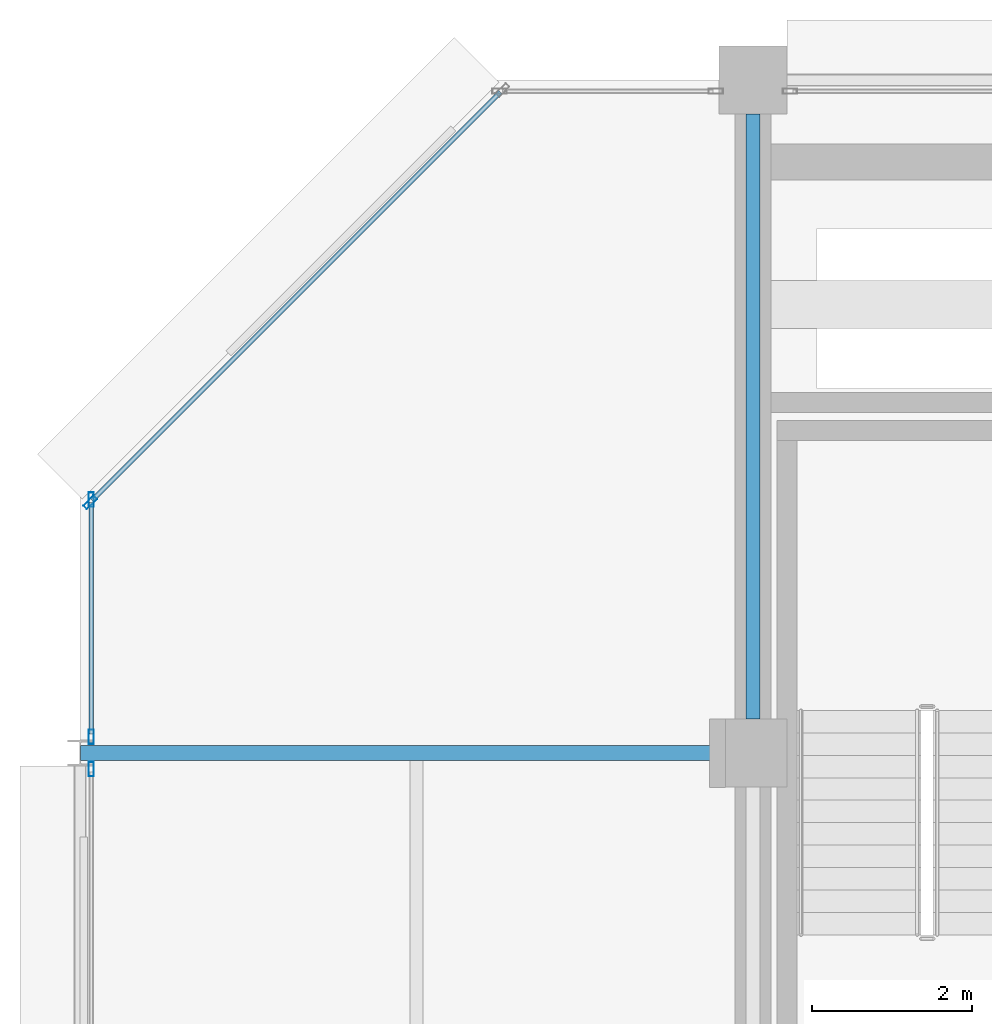
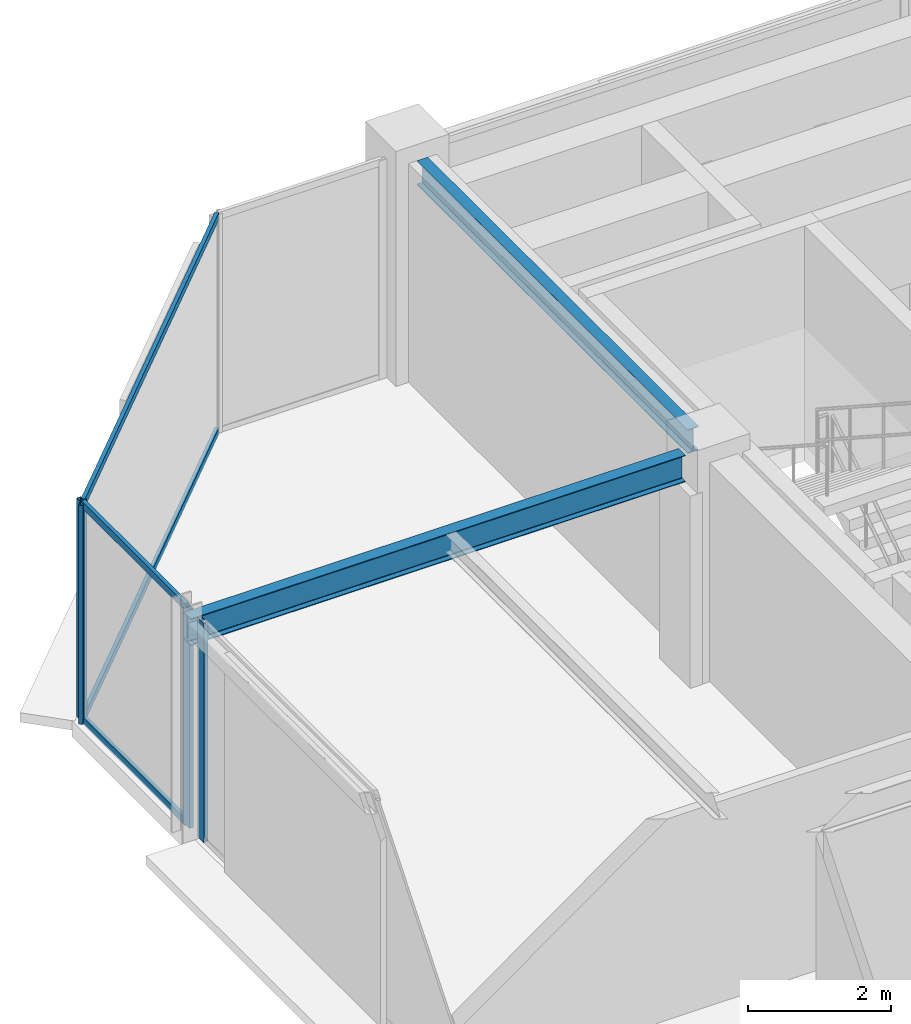
# One storey, part 16 of 25: 8 members, 2 beams, 3 elements without a shape of their own.
"""IFC4 building model written with IfcOpenShell, lengths in metres."""

from ifc_helpers import new_model, si_unit, direction, frame, origin, origin_2d, place, context, subcontext, project, spatial, hollow_rectangle, i_section, extrude, material, layer, layer_set, material_profile, profile_set, type_object, element, aggregate, save


model = new_model("IFC4")

# Units and contexts
model_context = context("Model", 3, precision=1e-05, world=origin(), true_north=direction((0.0, 1.0)))
body_context = subcontext(model_context, "Body", "Model", "MODEL_VIEW")
ifc_project = project(units=[si_unit("LENGTHUNIT", "METRE"), si_unit("AREAUNIT", "SQUARE_METRE"), si_unit("VOLUMEUNIT", "CUBIC_METRE"), si_unit("PLANEANGLEUNIT", "RADIAN"), si_unit("MASSUNIT", "GRAM", prefix="KILO")], contexts=[model_context])

# Site, building, storey
site_placement = place(None, origin())
site = spatial("IfcSite", under=ifc_project, at=site_placement, CompositionType="ELEMENT")
building_placement = place(site_placement, origin())
building = spatial("IfcBuilding", under=site, at=building_placement, Name="Nerrivon Quay Data Exchange", CompositionType="ELEMENT")
storey_placement = place(building_placement, frame((0.0, 0.0, 290.199951171875)))
storey = spatial("IfcBuildingStorey", under=building, at=storey_placement, Name="L69", CompositionType="ELEMENT", Elevation=290.199951171875)

# Beams
ifc_material_1 = material(Name="Steel Grade 350", Category="steel")
ifc_material_profile_1 = material_profile(ifc_material_1, i_section(OverallWidth=0.18994140625, OverallDepth=0.4541015625, WebThickness=0.008544921875, FlangeThickness=0.0126953125, FilletRadius=0.011474609375, at=origin_2d()), Name="460UB67.1")
ifc_profile_set_1 = profile_set([ifc_material_profile_1], Name="Steel Grade 350")
beam_type_1 = type_object("IfcBeamType", Name="BM-G6-460UB67", PredefinedType="BEAM", material=ifc_profile_set_1)
beam_1_placement = place(storey_placement, frame((0.0078125, 33.60009765625, 3.498046875), z_axis=(1.0, 0.0, 0.0), x_axis=(0.0, 1.0, 0.0)))
element("IfcBeam", 1, at=beam_1_placement, inside=storey, type_object=beam_type_1, Name="L69 EW Girder Y=33.6 (0.0..8.4)", PredefinedType="BEAM", context=body_context, shape_type="SweptSolid", body=[
    extrude(i_section(OverallWidth=0.18994140625, OverallDepth=0.4541015625, WebThickness=0.008544921875, FlangeThickness=0.0126953125, FilletRadius=0.011474609375, at=origin_2d()), origin(), (0.0, 0.0, 1.0), 7.96728515625),
])
ifc_material_profile_2 = material_profile(ifc_material_1, i_section(OverallWidth=0.177978515625, OverallDepth=0.406005859375, WebThickness=0.0078125, FlangeThickness=0.0126953125, FilletRadius=0.011474609375, at=origin_2d()), Name="410UB59.7")
ifc_profile_set_2 = profile_set([ifc_material_profile_2], Name="Steel Grade 350")
beam_type_2 = type_object("IfcBeamType", Name="BM-J1-410UB60", PredefinedType="JOIST", material=ifc_profile_set_2)
beam_2_placement = place(storey_placement, frame((8.39990234375, 34.02490234375, 3.52197265625), z_axis=(0.0, 1.0, 0.0), x_axis=(-1.0, 0.0, 0.0)))
element("IfcBeam", 2, at=beam_2_placement, inside=storey, type_object=beam_type_2, Name="L69 NS Girder X=8.4 (33.6..42.0)", PredefinedType="JOIST", context=body_context, shape_type="SweptSolid", body=[
    extrude(i_section(OverallWidth=0.177978515625, OverallDepth=0.406005859375, WebThickness=0.0078125, FlangeThickness=0.0126953125, FilletRadius=0.011474609375, at=origin_2d()), origin(), (0.0, 0.0, 1.0), 7.550048828125),
])

# Curtain wall, member
ifc_material_2 = material(Name="Anodised aluminium 6063-T6", Category="aluminium")
ifc_layer = layer(ifc_material_2, 0.195068359375)
ifc_layer_set = layer_set([ifc_layer], Name="Anodised aluminium 6063-T6")
curtain_wall_type = type_object("IfcCurtainWallType", Name="CW-SYS-06", PredefinedType="NOTDEFINED", material=ifc_layer_set)
curtain_wall_1_placement = place(storey_placement, origin())
curtain_wall_1 = element("IfcCurtainWall", 3, at=curtain_wall_1_placement, inside=storey, type_object=curtain_wall_type, Name="L69 Unitised Curtain Wall 11", PredefinedType="NOTDEFINED")
ifc_material_profile_3 = material_profile(ifc_material_2, hollow_rectangle(XDim=0.06494140625, YDim=0.179931640625, WallThickness=0.00341796875, at=origin_2d()), Name="ALU-MULL-180x65")
ifc_profile_set_3 = profile_set([ifc_material_profile_3], Name="Anodised aluminium 6063-T6")
member_type_1 = type_object("IfcMemberType", Name="CWM-180x65", PredefinedType="MULLION", material=ifc_profile_set_3)
member_1_placement = place(storey_placement, frame((0.139892578125, 33.39892578125, 0.0), z_axis=(0.0, 0.0, 1.0), x_axis=(-1.0, 0.0, 0.0)))
member_1 = element("IfcMember", 4, at=member_1_placement, type_object=member_type_1, Name="CW06 mullion 2", PredefinedType="MULLION", context=body_context, shape_type="SweptSolid", body=[
    extrude(hollow_rectangle(XDim=0.06494140625, YDim=0.179931640625, WallThickness=0.00341796875, at=origin_2d()), origin(), (0.0, 0.0, 1.0), 3.72509765625),
])
aggregate(curtain_wall_1, [member_1])

# Curtain wall, members
curtain_wall_2_placement = place(storey_placement, origin())
curtain_wall_2 = element("IfcCurtainWall", 5, at=curtain_wall_2_placement, inside=storey, type_object=curtain_wall_type, Name="L69 Unitised Curtain Wall 12", PredefinedType="NOTDEFINED")
member_2_placement = place(storey_placement, frame((0.139892578125, 33.801025390625, 0.0), z_axis=(0.0, 0.0, 1.0), x_axis=(-1.0, 0.0, 0.0)))
member_2 = element("IfcMember", 6, at=member_2_placement, type_object=member_type_1, Name="CW06 mullion 1", PredefinedType="MULLION", context=body_context, shape_type="SweptSolid", body=[
    extrude(hollow_rectangle(XDim=0.06494140625, YDim=0.179931640625, WallThickness=0.00341796875, at=origin_2d()), origin(), (0.0, 0.0, 1.0), 3.72509765625),
])
member_3_placement = place(storey_placement, frame((0.139892578125, 36.762451171875, 0.0), z_axis=(0.0, 0.0, 1.0), x_axis=(-1.0, 0.0, 0.0)))
member_3 = element("IfcMember", 7, at=member_3_placement, type_object=member_type_1, Name="CW06 mullion 2", PredefinedType="MULLION", context=body_context, shape_type="SweptSolid", body=[
    extrude(hollow_rectangle(XDim=0.06494140625, YDim=0.179931640625, WallThickness=0.00341796875, at=origin_2d()), origin(), (0.0, 0.0, 1.0), 3.72509765625),
])

# Curtain wall, member
curtain_wall_3_placement = place(storey_placement, origin())
curtain_wall_3 = element("IfcCurtainWall", 8, at=curtain_wall_3_placement, inside=storey, type_object=curtain_wall_type, Name="L69 Unitised Curtain Wall 13", PredefinedType="NOTDEFINED")
member_4_placement = place(storey_placement, frame((0.12548828125, 36.7275390625, 0.0), z_axis=(0.0, 0.0, 1.0), x_axis=(-0.707106781187, 0.707106781187, 0.0)))
member_4 = element("IfcMember", 9, at=member_4_placement, type_object=member_type_1, Name="CW06 mullion 1", PredefinedType="MULLION", context=body_context, shape_type="SweptSolid", body=[
    extrude(hollow_rectangle(XDim=0.06494140625, YDim=0.179931640625, WallThickness=0.00341796875, at=origin_2d()), origin(), (0.0, 0.0, 1.0), 3.72509765625),
])

# Member
ifc_material_profile_4 = material_profile(ifc_material_2, hollow_rectangle(XDim=0.06005859375, YDim=0.1201171875, WallThickness=0.003173828125, at=origin_2d()), Name="ALU-TRAN-120x60")
ifc_profile_set_4 = profile_set([ifc_material_profile_4], Name="Anodised aluminium 6063-T6")
member_type_2 = type_object("IfcMemberType", Name="CWT-120x60", PredefinedType="USERDEFINED", material=ifc_profile_set_4)
member_5_placement = place(storey_placement, frame((0.139892578125, 33.83837890625, 0.032470703125), z_axis=(0.0, 1.0, 0.0), x_axis=(-1.0, 0.0, 0.0)))
member_5 = element("IfcMember", 10, at=member_5_placement, type_object=member_type_2, Name="CW06 transom 1.1", ObjectType="TRANSOM", PredefinedType="USERDEFINED", context=body_context, shape_type="SweptSolid", body=[
    extrude(hollow_rectangle(XDim=0.06005859375, YDim=0.1201171875, WallThickness=0.003173828125, at=origin_2d()), origin(), (0.0, 0.0, 1.0), 2.88671875),
])

member_6_placement = place(storey_placement, frame((0.139892578125, 33.83837890625, 3.692626953125), z_axis=(0.0, 1.0, 0.0), x_axis=(-1.0, 0.0, 0.0)))
member_6 = element("IfcMember", 11, at=member_6_placement, type_object=member_type_2, Name="CW06 transom 1.2", ObjectType="TRANSOM", PredefinedType="USERDEFINED", context=body_context, shape_type="SweptSolid", body=[
    extrude(hollow_rectangle(XDim=0.06005859375, YDim=0.1201171875, WallThickness=0.003173828125, at=origin_2d()), origin(), (0.0, 0.0, 1.0), 2.88671875),
])

aggregate(curtain_wall_2, [member_2, member_3, member_5, member_6])

member_7_placement = place(storey_placement, frame((0.152099609375, 36.754150390625, 0.032470703125), z_axis=(0.707106781187, 0.707106781187, 0.0), x_axis=(-0.707106781187, 0.707106781187, 0.0)))
member_7 = element("IfcMember", 12, at=member_7_placement, type_object=member_type_2, Name="CW06 transom 1.1", ObjectType="TRANSOM", PredefinedType="USERDEFINED", context=body_context, shape_type="SweptSolid", body=[
    extrude(hollow_rectangle(XDim=0.06005859375, YDim=0.1201171875, WallThickness=0.003173828125, at=origin_2d()), origin(), (0.0, 0.0, 1.0), 7.20361328125),
])

member_8_placement = place(storey_placement, frame((0.152099609375, 36.754150390625, 3.692626953125), z_axis=(0.707106781187, 0.707106781187, 0.0), x_axis=(-0.707106781187, 0.707106781187, 0.0)))
member_8 = element("IfcMember", 13, at=member_8_placement, type_object=member_type_2, Name="CW06 transom 1.2", ObjectType="TRANSOM", PredefinedType="USERDEFINED", context=body_context, shape_type="SweptSolid", body=[
    extrude(hollow_rectangle(XDim=0.06005859375, YDim=0.1201171875, WallThickness=0.003173828125, at=origin_2d()), origin(), (0.0, 0.0, 1.0), 7.20361328125),
])

aggregate(curtain_wall_3, [member_4, member_7, member_8])

save(model, "model.ifc")
